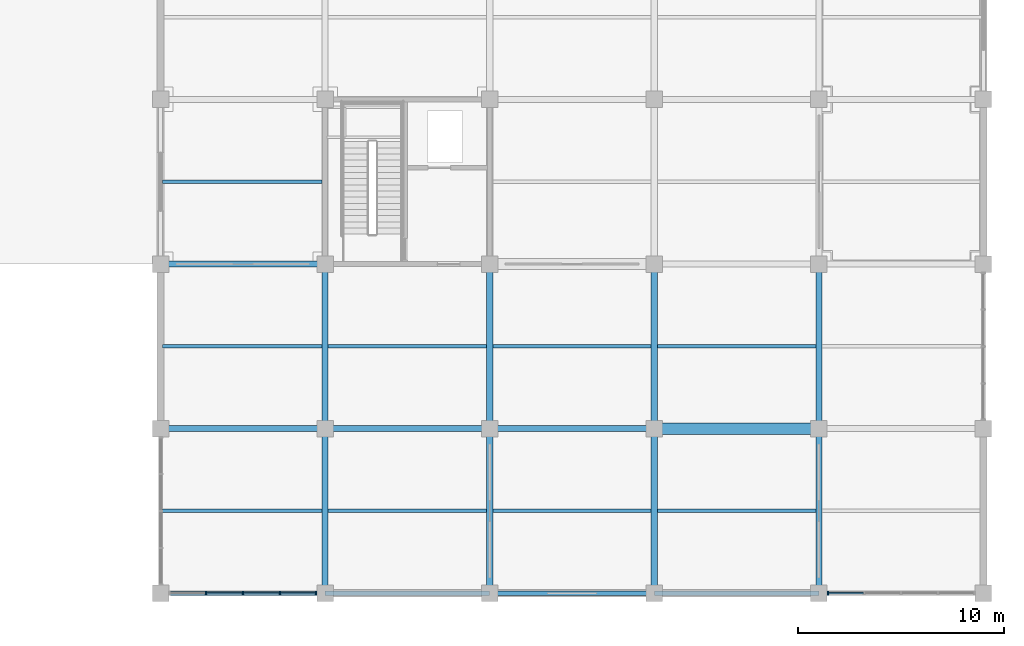
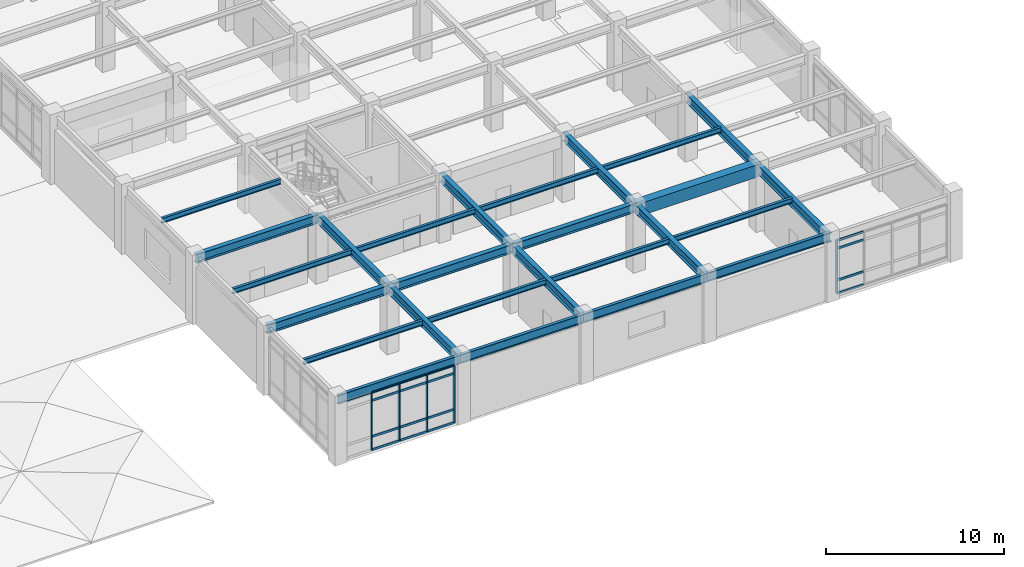
# One storey, part 21 of 109: 26 beams, 21 members, 2 elements without a shape of their own.
"""IFC4 building model written with IfcOpenShell, lengths in metres."""

from ifc_helpers import new_model, si_unit, direction, frame, origin, origin_2d, place, context, subcontext, project, spatial, rectangle, i_section, extrude, material, layer, layer_set, material_profile, profile_set, type_object, element, aggregate, save


model = new_model("IFC4")

# Units and contexts
model_context = context("Model", 3, precision=1e-05, world=origin(), true_north=direction((0.0, 1.0)))
body_context = subcontext(model_context, "Body", "Model", "MODEL_VIEW")
ifc_project = project(units=[si_unit("LENGTHUNIT", "METRE"), si_unit("AREAUNIT", "SQUARE_METRE"), si_unit("VOLUMEUNIT", "CUBIC_METRE"), si_unit("PLANEANGLEUNIT", "RADIAN"), si_unit("MASSUNIT", "GRAM", prefix="KILO")], contexts=[model_context])

# Site, building, storey
site_placement = place(None, origin())
site = spatial("IfcSite", under=ifc_project, at=site_placement, CompositionType="ELEMENT")
building_placement = place(site_placement, origin())
building = spatial("IfcBuilding", under=site, at=building_placement, Name="Haebicheon Civic Stadium", CompositionType="ELEMENT")
storey_placement = place(building_placement, frame((0.0, 0.0, 9.60009765625)))
storey = spatial("IfcBuildingStorey", under=building, at=storey_placement, Name="L03", CompositionType="ELEMENT", Elevation=9.60009765625)

# Beams
ifc_material_1 = material(Name="Concrete C40/50", Category="concrete")
ifc_material_profile_1 = material_profile(ifc_material_1, rectangle(XDim=0.550048828125, YDim=0.85009765625, at=origin_2d()), Name="RC-BM-550x850")
ifc_profile_set_1 = profile_set([ifc_material_profile_1], Name="Concrete C40/50")
beam_type_1 = type_object("IfcBeamType", Name="BM-RC-550x850", PredefinedType="BEAM", material=ifc_profile_set_1)
beam_placement = place(storey_placement, frame((184.0, 8.0, 4.114990234375), z_axis=(1.0, 0.0, 0.0), x_axis=(0.0, 1.0, 0.0)))
element("IfcBeam", 1, at=beam_placement, inside=storey, type_object=beam_type_1, material=ifc_profile_set_1, Name="L03 beam B/24-25", PredefinedType="BEAM", context=body_context, shape_type="SweptSolid", body=[
    extrude(rectangle(XDim=0.550048828125, YDim=0.85009765625, at=origin_2d()), origin(), (0.0, 0.0, 1.0), 8.0),
])
ifc_material_2 = material(Name="Steel SM355 (S355)", Category="steel")
ifc_material_profile_2 = material_profile(ifc_material_2, i_section(OverallWidth=0.300048828125, OverallDepth=0.60009765625, WebThickness=0.011962890625, FlangeThickness=0.02001953125, at=origin_2d()), Name="H-600x300x12x20")
ifc_profile_set_2 = profile_set([ifc_material_profile_2], Name="Steel SM355 (S355)")
beam_type_2 = type_object("IfcBeamType", Name="BM-ST-H600A", PredefinedType="BEAM", material=ifc_profile_set_2)
for number, where, z_axis, x_axis, name in (
    (2, (168.0, 0.0, 4.239990234375), (0.0, 1.0, 0.0), (-1.0, 0.0, 0.0), "L03 girder 22/A-B"),
    (3, (168.0, 8.0, 4.239990234375), (0.0, 1.0, 0.0), (-1.0, 0.0, 0.0), "L03 girder 22/B-C"),
    (4, (176.0, 0.0, 4.239990234375), (0.0, 1.0, 0.0), (-1.0, 0.0, 0.0), "L03 girder 23/A-B"),
    (5, (176.0, 8.0, 4.239990234375), (0.0, 1.0, 0.0), (-1.0, 0.0, 0.0), "L03 girder 23/B-C"),
    (6, (184.0, 0.0, 4.239990234375), (0.0, 1.0, 0.0), (-1.0, 0.0, 0.0), "L03 girder 24/A-B"),
    (7, (184.0, 8.0, 4.239990234375), (0.0, 1.0, 0.0), (-1.0, 0.0, 0.0), "L03 girder 24/B-C"),
    (8, (192.0, 0.0, 4.099853515625), (0.0, 1.0, 0.0), (-1.0, 0.0, 0.0), "L03 girder 25/A-B"),
    (9, (192.0, 8.0, 4.099853515625), (0.0, 1.0, 0.0), (-1.0, 0.0, 0.0), "L03 girder 25/B-C"),
    (10, (160.0, 8.0, 4.239990234375), (1.0, 0.0, 0.0), (0.0, 1.0, 0.0), "L03 beam B/21-22"),
    (11, (160.0, 16.0, 4.239990234375), (1.0, 0.0, 0.0), (0.0, 1.0, 0.0), "L03 beam C/21-22"),
    (12, (168.0, 8.0, 4.239990234375), (1.0, 0.0, 0.0), (0.0, 1.0, 0.0), "L03 beam B/22-23"),
    (13, (176.0, 8.0, 4.239990234375), (1.0, 0.0, 0.0), (0.0, 1.0, 0.0), "L03 beam B/23-24"),
):
    element("IfcBeam", number, at=place(storey_placement, frame(where, z_axis=z_axis, x_axis=x_axis)), inside=storey, type_object=beam_type_2, material=ifc_profile_set_2, Name=name, PredefinedType="BEAM", context=body_context, shape_type="SweptSolid", body=[
        extrude(i_section(OverallWidth=0.300048828125, OverallDepth=0.60009765625, WebThickness=0.011962890625, FlangeThickness=0.02001953125, at=origin_2d()), origin(), (0.0, 0.0, 1.0), 8.0),
    ])

# Curtain wall, members
ifc_material_3 = material(Name="Anodised aluminium and laminated glass", Category="aluminium")
ifc_layer_1 = layer(ifc_material_3, 0.179931640625, Name="Anodised aluminium and laminated glass")
ifc_layer_set_1 = layer_set([ifc_layer_1], Name="Anodised aluminium and laminated glass")
curtain_wall_type_1 = type_object("IfcCurtainWallType", Name="CW-7200x3930", PredefinedType="NOTDEFINED", material=ifc_layer_set_1)
curtain_wall_1_placement = place(storey_placement, origin())
curtain_wall_1 = element("IfcCurtainWall", 14, at=curtain_wall_1_placement, inside=storey, type_object=curtain_wall_type_1, material=ifc_layer_set_1, Name="L03 unitised curtain wall 085", PredefinedType="NOTDEFINED")
ifc_material_4 = material(Name="Anodised aluminium 6063-T6", Category="aluminium")
ifc_material_profile_3 = material_profile(ifc_material_4, rectangle(XDim=0.070068359375, YDim=0.199951171875, at=origin_2d()), Name="ALU-MULL-70x200")
ifc_profile_set_3 = profile_set([ifc_material_profile_3], Name="Anodised aluminium 6063-T6")
member_type_1 = type_object("IfcMemberType", Name="CWM-200x70", PredefinedType="MULLION", material=ifc_profile_set_3)
member_1_placement = place(storey_placement, frame((162.199951171875, 0.0, 0.0), z_axis=(0.0, 0.0, 1.0), x_axis=(1.0, 0.0, 0.0)))
member_1 = element("IfcMember", 15, at=member_1_placement, type_object=member_type_1, material=ifc_profile_set_3, Name="CW-L03-085 vertical mullion 2", PredefinedType="MULLION", context=body_context, shape_type="SweptSolid", body=[
    extrude(rectangle(XDim=0.070068359375, YDim=0.199951171875, at=origin_2d()), origin(), (0.0, 0.0, 1.0), 3.929931640625),
])
member_2_placement = place(storey_placement, frame((164.0, 0.0, 0.0), z_axis=(0.0, 0.0, 1.0), x_axis=(1.0, 0.0, 0.0)))
member_2 = element("IfcMember", 16, at=member_2_placement, type_object=member_type_1, material=ifc_profile_set_3, Name="CW-L03-085 vertical mullion 3", PredefinedType="MULLION", context=body_context, shape_type="SweptSolid", body=[
    extrude(rectangle(XDim=0.070068359375, YDim=0.199951171875, at=origin_2d()), origin(), (0.0, 0.0, 1.0), 3.929931640625),
])
member_3_placement = place(storey_placement, frame((165.800048828125, 0.0, 0.0), z_axis=(0.0, 0.0, 1.0), x_axis=(1.0, 0.0, 0.0)))
member_3 = element("IfcMember", 17, at=member_3_placement, type_object=member_type_1, material=ifc_profile_set_3, Name="CW-L03-085 vertical mullion 4", PredefinedType="MULLION", context=body_context, shape_type="SweptSolid", body=[
    extrude(rectangle(XDim=0.070068359375, YDim=0.199951171875, at=origin_2d()), origin(), (0.0, 0.0, 1.0), 3.929931640625),
])
member_4_placement = place(storey_placement, frame((167.56494140625, 0.0, 0.0), z_axis=(0.0, 0.0, 1.0), x_axis=(1.0, 0.0, 0.0)))
member_4 = element("IfcMember", 18, at=member_4_placement, type_object=member_type_1, material=ifc_profile_set_3, Name="CW-L03-085 vertical mullion 5", PredefinedType="MULLION", context=body_context, shape_type="SweptSolid", body=[
    extrude(rectangle(XDim=0.070068359375, YDim=0.199951171875, at=origin_2d()), origin(), (0.0, 0.0, 1.0), 3.929931640625),
])

# Curtain wall, member
ifc_material_5 = material(Name="Anodised aluminium and laminated glass", Category="aluminium")
ifc_layer_2 = layer(ifc_material_5, 0.179931640625, Name="Anodised aluminium and laminated glass")
ifc_layer_set_2 = layer_set([ifc_layer_2], Name="Anodised aluminium and laminated glass")
curtain_wall_type_2 = type_object("IfcCurtainWallType", Name="CW-7200x3630", PredefinedType="NOTDEFINED", material=ifc_layer_set_2)
curtain_wall_2_placement = place(storey_placement, origin())
curtain_wall_2 = element("IfcCurtainWall", 19, at=curtain_wall_2_placement, inside=storey, type_object=curtain_wall_type_2, material=ifc_layer_set_2, Name="L03 unitised curtain wall 094", PredefinedType="NOTDEFINED")
member_5_placement = place(storey_placement, frame((192.43505859375, 0.0, 0.159912109375), z_axis=(0.0, 0.0, 1.0), x_axis=(1.0, 0.0, 0.0)))
member_5 = element("IfcMember", 20, at=member_5_placement, type_object=member_type_1, material=ifc_profile_set_3, Name="CW-L03-094 vertical mullion 1", PredefinedType="MULLION", context=body_context, shape_type="SweptSolid", body=[
    extrude(rectangle(XDim=0.070068359375, YDim=0.199951171875, at=origin_2d()), origin(), (0.0, 0.0, 1.0), 3.6298828125),
])

# Member
ifc_material_6 = material(Name="Anodised aluminium 6063-T6", Category="aluminium")
ifc_material_profile_4 = material_profile(ifc_material_6, rectangle(XDim=0.070068359375, YDim=0.14990234375, at=origin_2d()), Name="ALU-TRAN-70x150")
ifc_profile_set_4 = profile_set([ifc_material_profile_4], Name="Anodised aluminium 6063-T6")
member_type_2 = type_object("IfcMemberType", Name="CWT-150x70", PredefinedType="NOTDEFINED", material=ifc_profile_set_4)
member_6_placement = place(storey_placement, frame((162.235107421875, 0.0, 0.0), z_axis=(1.0, 0.0, 0.0), x_axis=(0.0, 1.0, 0.0)))
member_6 = element("IfcMember", 21, at=member_6_placement, type_object=member_type_2, material=ifc_profile_set_4, Name="CW-L03-085 horizontal transom 2.1", ObjectType="TRANSOM", PredefinedType="USERDEFINED", context=body_context, shape_type="SweptSolid", body=[
    extrude(rectangle(XDim=0.070068359375, YDim=0.14990234375, at=origin_2d()), origin(), (0.0, 0.0, 1.0), 1.72998046875),
])

member_7_placement = place(storey_placement, frame((162.235107421875, 0.0, 0.89990234375), z_axis=(1.0, 0.0, 0.0), x_axis=(0.0, 1.0, 0.0)))
member_7 = element("IfcMember", 22, at=member_7_placement, type_object=member_type_2, material=ifc_profile_set_4, Name="CW-L03-085 horizontal transom 2.2", ObjectType="TRANSOM", PredefinedType="USERDEFINED", context=body_context, shape_type="SweptSolid", body=[
    extrude(rectangle(XDim=0.070068359375, YDim=0.14990234375, at=origin_2d()), origin(), (0.0, 0.0, 1.0), 1.72998046875),
])

member_8_placement = place(storey_placement, frame((162.235107421875, 0.0, 3.3798828125), z_axis=(1.0, 0.0, 0.0), x_axis=(0.0, 1.0, 0.0)))
member_8 = element("IfcMember", 23, at=member_8_placement, type_object=member_type_2, material=ifc_profile_set_4, Name="CW-L03-085 horizontal transom 2.3", ObjectType="TRANSOM", PredefinedType="USERDEFINED", context=body_context, shape_type="SweptSolid", body=[
    extrude(rectangle(XDim=0.070068359375, YDim=0.14990234375, at=origin_2d()), origin(), (0.0, 0.0, 1.0), 1.72998046875),
])

member_9_placement = place(storey_placement, frame((162.235107421875, 0.0, 3.929931640625), z_axis=(1.0, 0.0, 0.0), x_axis=(0.0, 1.0, 0.0)))
member_9 = element("IfcMember", 24, at=member_9_placement, type_object=member_type_2, material=ifc_profile_set_4, Name="CW-L03-085 horizontal transom 2.4", ObjectType="TRANSOM", PredefinedType="USERDEFINED", context=body_context, shape_type="SweptSolid", body=[
    extrude(rectangle(XDim=0.070068359375, YDim=0.14990234375, at=origin_2d()), origin(), (0.0, 0.0, 1.0), 1.72998046875),
])

member_10_placement = place(storey_placement, frame((164.034912109375, 0.0, 0.0), z_axis=(1.0, 0.0, 0.0), x_axis=(0.0, 1.0, 0.0)))
member_10 = element("IfcMember", 25, at=member_10_placement, type_object=member_type_2, material=ifc_profile_set_4, Name="CW-L03-085 horizontal transom 3.1", ObjectType="TRANSOM", PredefinedType="USERDEFINED", context=body_context, shape_type="SweptSolid", body=[
    extrude(rectangle(XDim=0.070068359375, YDim=0.14990234375, at=origin_2d()), origin(), (0.0, 0.0, 1.0), 1.72998046875),
])

member_11_placement = place(storey_placement, frame((164.034912109375, 0.0, 0.89990234375), z_axis=(1.0, 0.0, 0.0), x_axis=(0.0, 1.0, 0.0)))
member_11 = element("IfcMember", 26, at=member_11_placement, type_object=member_type_2, material=ifc_profile_set_4, Name="CW-L03-085 horizontal transom 3.2", ObjectType="TRANSOM", PredefinedType="USERDEFINED", context=body_context, shape_type="SweptSolid", body=[
    extrude(rectangle(XDim=0.070068359375, YDim=0.14990234375, at=origin_2d()), origin(), (0.0, 0.0, 1.0), 1.72998046875),
])

member_12_placement = place(storey_placement, frame((164.034912109375, 0.0, 3.3798828125), z_axis=(1.0, 0.0, 0.0), x_axis=(0.0, 1.0, 0.0)))
member_12 = element("IfcMember", 27, at=member_12_placement, type_object=member_type_2, material=ifc_profile_set_4, Name="CW-L03-085 horizontal transom 3.3", ObjectType="TRANSOM", PredefinedType="USERDEFINED", context=body_context, shape_type="SweptSolid", body=[
    extrude(rectangle(XDim=0.070068359375, YDim=0.14990234375, at=origin_2d()), origin(), (0.0, 0.0, 1.0), 1.72998046875),
])

member_13_placement = place(storey_placement, frame((164.034912109375, 0.0, 3.929931640625), z_axis=(1.0, 0.0, 0.0), x_axis=(0.0, 1.0, 0.0)))
member_13 = element("IfcMember", 28, at=member_13_placement, type_object=member_type_2, material=ifc_profile_set_4, Name="CW-L03-085 horizontal transom 3.4", ObjectType="TRANSOM", PredefinedType="USERDEFINED", context=body_context, shape_type="SweptSolid", body=[
    extrude(rectangle(XDim=0.070068359375, YDim=0.14990234375, at=origin_2d()), origin(), (0.0, 0.0, 1.0), 1.72998046875),
])

member_14_placement = place(storey_placement, frame((165.8349609375, 0.0, 0.0), z_axis=(1.0, 0.0, 0.0), x_axis=(0.0, 1.0, 0.0)))
member_14 = element("IfcMember", 29, at=member_14_placement, type_object=member_type_2, material=ifc_profile_set_4, Name="CW-L03-085 horizontal transom 4.1", ObjectType="TRANSOM", PredefinedType="USERDEFINED", context=body_context, shape_type="SweptSolid", body=[
    extrude(rectangle(XDim=0.070068359375, YDim=0.14990234375, at=origin_2d()), origin(), (0.0, 0.0, 1.0), 1.695068359375),
])

member_15_placement = place(storey_placement, frame((165.8349609375, 0.0, 0.89990234375), z_axis=(1.0, 0.0, 0.0), x_axis=(0.0, 1.0, 0.0)))
member_15 = element("IfcMember", 30, at=member_15_placement, type_object=member_type_2, material=ifc_profile_set_4, Name="CW-L03-085 horizontal transom 4.2", ObjectType="TRANSOM", PredefinedType="USERDEFINED", context=body_context, shape_type="SweptSolid", body=[
    extrude(rectangle(XDim=0.070068359375, YDim=0.14990234375, at=origin_2d()), origin(), (0.0, 0.0, 1.0), 1.695068359375),
])

member_16_placement = place(storey_placement, frame((165.8349609375, 0.0, 3.3798828125), z_axis=(1.0, 0.0, 0.0), x_axis=(0.0, 1.0, 0.0)))
member_16 = element("IfcMember", 31, at=member_16_placement, type_object=member_type_2, material=ifc_profile_set_4, Name="CW-L03-085 horizontal transom 4.3", ObjectType="TRANSOM", PredefinedType="USERDEFINED", context=body_context, shape_type="SweptSolid", body=[
    extrude(rectangle(XDim=0.070068359375, YDim=0.14990234375, at=origin_2d()), origin(), (0.0, 0.0, 1.0), 1.695068359375),
])

member_17_placement = place(storey_placement, frame((165.8349609375, 0.0, 3.929931640625), z_axis=(1.0, 0.0, 0.0), x_axis=(0.0, 1.0, 0.0)))
member_17 = element("IfcMember", 32, at=member_17_placement, type_object=member_type_2, material=ifc_profile_set_4, Name="CW-L03-085 horizontal transom 4.4", ObjectType="TRANSOM", PredefinedType="USERDEFINED", context=body_context, shape_type="SweptSolid", body=[
    extrude(rectangle(XDim=0.070068359375, YDim=0.14990234375, at=origin_2d()), origin(), (0.0, 0.0, 1.0), 1.695068359375),
])

aggregate(curtain_wall_1, [member_1, member_2, member_3, member_4, member_6, member_7, member_8, member_9, member_10, member_11, member_12, member_13, member_14, member_15, member_16, member_17])

member_18_placement = place(storey_placement, frame((192.469970703125, 0.0, 0.159912109375), z_axis=(1.0, 0.0, 0.0), x_axis=(0.0, 1.0, 0.0)))
member_18 = element("IfcMember", 33, at=member_18_placement, type_object=member_type_2, material=ifc_profile_set_4, Name="CW-L03-094 horizontal transom 1.1", ObjectType="TRANSOM", PredefinedType="USERDEFINED", context=body_context, shape_type="SweptSolid", body=[
    extrude(rectangle(XDim=0.070068359375, YDim=0.14990234375, at=origin_2d()), origin(), (0.0, 0.0, 1.0), 1.695068359375),
])

member_19_placement = place(storey_placement, frame((192.469970703125, 0.0, 1.059814453125), z_axis=(1.0, 0.0, 0.0), x_axis=(0.0, 1.0, 0.0)))
member_19 = element("IfcMember", 34, at=member_19_placement, type_object=member_type_2, material=ifc_profile_set_4, Name="CW-L03-094 horizontal transom 1.2", ObjectType="TRANSOM", PredefinedType="USERDEFINED", context=body_context, shape_type="SweptSolid", body=[
    extrude(rectangle(XDim=0.070068359375, YDim=0.14990234375, at=origin_2d()), origin(), (0.0, 0.0, 1.0), 1.695068359375),
])

member_20_placement = place(storey_placement, frame((192.469970703125, 0.0, 3.239990234375), z_axis=(1.0, 0.0, 0.0), x_axis=(0.0, 1.0, 0.0)))
member_20 = element("IfcMember", 35, at=member_20_placement, type_object=member_type_2, material=ifc_profile_set_4, Name="CW-L03-094 horizontal transom 1.3", ObjectType="TRANSOM", PredefinedType="USERDEFINED", context=body_context, shape_type="SweptSolid", body=[
    extrude(rectangle(XDim=0.070068359375, YDim=0.14990234375, at=origin_2d()), origin(), (0.0, 0.0, 1.0), 1.695068359375),
])

member_21_placement = place(storey_placement, frame((192.469970703125, 0.0, 3.789794921875), z_axis=(1.0, 0.0, 0.0), x_axis=(0.0, 1.0, 0.0)))
member_21 = element("IfcMember", 36, at=member_21_placement, type_object=member_type_2, material=ifc_profile_set_4, Name="CW-L03-094 horizontal transom 1.4", ObjectType="TRANSOM", PredefinedType="USERDEFINED", context=body_context, shape_type="SweptSolid", body=[
    extrude(rectangle(XDim=0.070068359375, YDim=0.14990234375, at=origin_2d()), origin(), (0.0, 0.0, 1.0), 1.695068359375),
])

aggregate(curtain_wall_2, [member_5, member_18, member_19, member_20, member_21])

# Beams
ifc_material_7 = material(Name="Steel SM355 (S355)", Category="steel")
ifc_material_profile_5 = material_profile(ifc_material_7, i_section(OverallWidth=0.175048828125, OverallDepth=0.35009765625, WebThickness=0.007080078125, FlangeThickness=0.010986328125, at=origin_2d()), Name="H-350x175x7x11")
ifc_profile_set_5 = profile_set([ifc_material_profile_5], Name="Steel SM355 (S355)")
beam_type_3 = type_object("IfcBeamType", Name="JST-ST-H350", PredefinedType="JOIST", material=ifc_profile_set_5)
for number, where, z_axis, x_axis, name in (
    (37, (160.10009765625, 4.0, 4.364990234375), (1.0, 0.0, 0.0), (0.0, 1.0, 0.0), "L03 secondary joist 20-00"),
    (38, (160.10009765625, 12.0, 4.364990234375), (1.0, 0.0, 0.0), (0.0, 1.0, 0.0), "L03 secondary joist 20-01"),
    (39, (160.10009765625, 20.0, 4.364990234375), (1.0, 0.0, 0.0), (0.0, 1.0, 0.0), "L03 secondary joist 20-02"),
):
    element("IfcBeam", number, at=place(storey_placement, frame(where, z_axis=z_axis, x_axis=x_axis)), inside=storey, type_object=beam_type_3, material=ifc_profile_set_5, Name=name, PredefinedType="JOIST", context=body_context, shape_type="SweptSolid", body=[
        extrude(i_section(OverallWidth=0.175048828125, OverallDepth=0.35009765625, WebThickness=0.007080078125, FlangeThickness=0.010986328125, at=origin_2d()), origin(), (0.0, 0.0, 1.0), 7.75),
    ])
for number, where, z_axis, x_axis, name in (
    (40, (168.14990234375, 4.0, 4.364990234375), (1.0, 0.0, 0.0), (0.0, 1.0, 0.0), "L03 secondary joist 21-00"),
    (41, (168.14990234375, 12.0, 4.364990234375), (1.0, 0.0, 0.0), (0.0, 1.0, 0.0), "L03 secondary joist 21-01"),
    (42, (176.14990234375, 4.0, 4.364990234375), (1.0, 0.0, 0.0), (0.0, 1.0, 0.0), "L03 secondary joist 22-00"),
    (43, (176.14990234375, 12.0, 4.364990234375), (1.0, 0.0, 0.0), (0.0, 1.0, 0.0), "L03 secondary joist 22-01"),
    (44, (184.14990234375, 4.0, 4.364990234375), (1.0, 0.0, 0.0), (0.0, 1.0, 0.0), "L03 secondary joist 23-00"),
    (45, (184.14990234375, 12.0, 4.364990234375), (1.0, 0.0, 0.0), (0.0, 1.0, 0.0), "L03 secondary joist 23-01"),
):
    element("IfcBeam", number, at=place(storey_placement, frame(where, z_axis=z_axis, x_axis=x_axis)), inside=storey, type_object=beam_type_3, material=ifc_profile_set_5, Name=name, PredefinedType="JOIST", context=body_context, shape_type="SweptSolid", body=[
        extrude(i_section(OverallWidth=0.175048828125, OverallDepth=0.35009765625, WebThickness=0.007080078125, FlangeThickness=0.010986328125, at=origin_2d()), origin(), (0.0, 0.0, 1.0), 7.7001953125),
    ])
ifc_material_8 = material(Name="Steel SM355 (S355)", Category="steel")
ifc_material_profile_6 = material_profile(ifc_material_8, i_section(OverallWidth=0.199951171875, OverallDepth=0.60009765625, WebThickness=0.010986328125, FlangeThickness=0.01708984375, at=origin_2d()), Name="H-600x200x11x17")
ifc_profile_set_6 = profile_set([ifc_material_profile_6], Name="Steel SM355 (S355)")
beam_type_4 = type_object("IfcBeamType", Name="SPD-ST-H600B", PredefinedType="SPANDREL", material=ifc_profile_set_6)
for number, where, z_axis, x_axis, name in (
    (46, (160.0, 0.0, 4.239990234375), (1.0, 0.0, 0.0), (0.0, 1.0, 0.0), "L03 beam A/21-22"),
    (47, (168.0, 0.0, 4.239990234375), (1.0, 0.0, 0.0), (0.0, 1.0, 0.0), "L03 beam A/22-23"),
    (48, (176.0, 0.0, 4.239990234375), (1.0, 0.0, 0.0), (0.0, 1.0, 0.0), "L03 beam A/23-24"),
    (49, (184.0, 0.0, 4.239990234375), (1.0, 0.0, 0.0), (0.0, 1.0, 0.0), "L03 beam A/24-25"),
):
    element("IfcBeam", number, at=place(storey_placement, frame(where, z_axis=z_axis, x_axis=x_axis)), inside=storey, type_object=beam_type_4, material=ifc_profile_set_6, Name=name, PredefinedType="SPANDREL", context=body_context, shape_type="SweptSolid", body=[
        extrude(i_section(OverallWidth=0.199951171875, OverallDepth=0.60009765625, WebThickness=0.010986328125, FlangeThickness=0.01708984375, at=origin_2d()), origin(), (0.0, 0.0, 1.0), 8.0),
    ])

save(model, "model.ifc")
